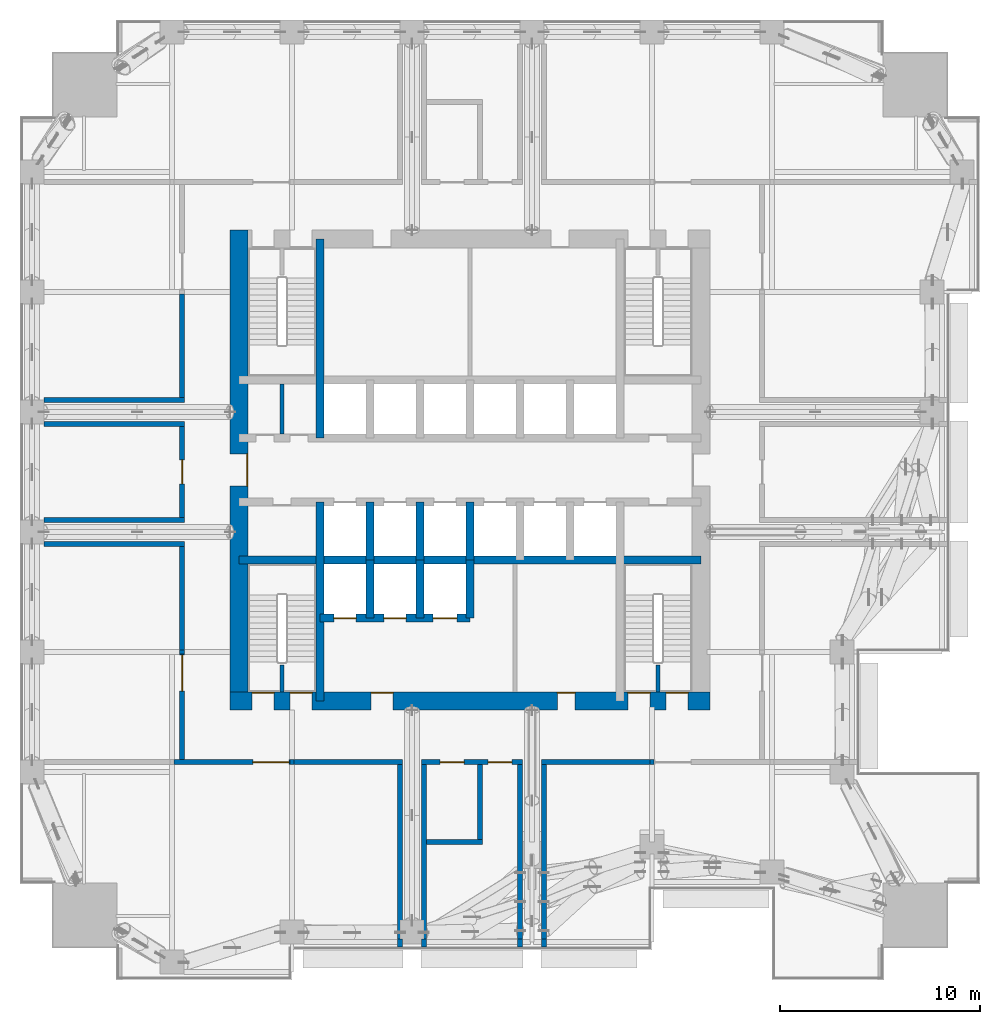
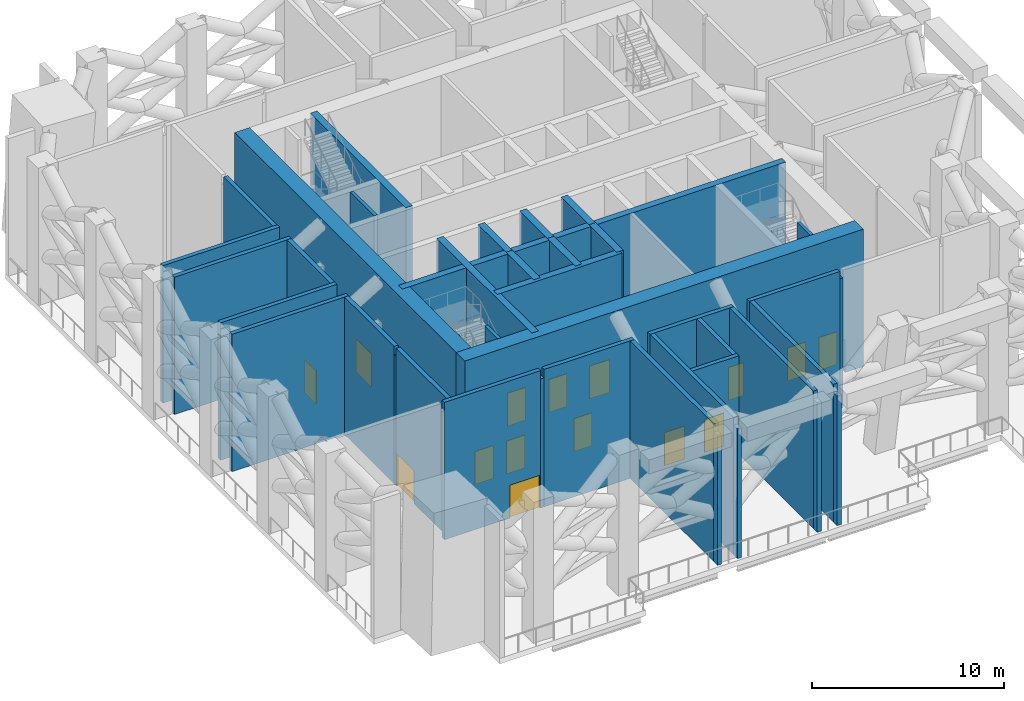
# One storey, part 7 of 18: 40 walls, 15 doors, 15 openings.
"""IFC4 building model written with IfcOpenShell, lengths in metres."""

from ifc_helpers import new_model, si_unit, direction, frame, frame_2d, origin, place, context, subcontext, project, spatial, rectangle, extrude, material, layer, layer_set, type_object, element, fill, save


model = new_model("IFC4")

# Units and contexts
model_context = context("Model", 3, precision=1e-05, world=origin(), true_north=direction((0.0, 1.0)))
body_context = subcontext(model_context, "Body", "Model", "MODEL_VIEW")
ifc_project = project(units=[si_unit("LENGTHUNIT", "METRE"), si_unit("AREAUNIT", "SQUARE_METRE"), si_unit("VOLUMEUNIT", "CUBIC_METRE"), si_unit("PLANEANGLEUNIT", "RADIAN"), si_unit("MASSUNIT", "GRAM", prefix="KILO")], contexts=[model_context])

# Site, building, storey
site_placement = place(None, origin())
site = spatial("IfcSite", under=ifc_project, at=site_placement, CompositionType="ELEMENT")
building_placement = place(site_placement, origin())
building = spatial("IfcBuilding", under=site, at=building_placement, Name="Amberfall Residences", CompositionType="ELEMENT")
storey_placement = place(building_placement, frame((0.0, 0.0, 69.699951171875)))
storey = spatial("IfcBuildingStorey", under=building, at=storey_placement, Name="L19", CompositionType="ELEMENT", Elevation=69.699951171875)

# Wall
ifc_material_1 = material(Name="Reinforced concrete C40", Category="concrete")
ifc_layer_1 = layer(ifc_material_1, 0.25)
ifc_layer_set_1 = layer_set([ifc_layer_1], Name="Compartment wall 250")
wall_type_1 = type_object("IfcWallType", Name="Compartment wall 250", PredefinedType="SOLIDWALL", material=ifc_layer_set_1)
wall_1_placement = place(storey_placement, frame((72.324951171875, 26.89990234375, 0.0), z_axis=(0.0, 0.0, 1.0), x_axis=(1.0, 0.0, 0.0)))
element("IfcWall", 1, at=wall_1_placement, inside=storey, type_object=wall_type_1, Name="Compartment wall 250 L19 001", PredefinedType="SOLIDWALL", context=body_context, shape_type="SweptSolid", body=[
    extrude(rectangle(XDim=2.800048828125, YDim=0.25, at=frame_2d((1.39990234375, 0.0))), origin(), (0.0, 0.0, 1.0), 8.75),
])

# Wall, opening, door
wall_2_placement = place(storey_placement, frame((59.705322265625, 30.89990234375, 0.0), z_axis=(0.0, 0.0, 1.0), x_axis=(1.0, 0.0, 0.0)))
wall_2 = element("IfcWall", 2, at=wall_2_placement, inside=storey, type_object=wall_type_1, Name="Compartment wall 250 L19 004", PredefinedType="SOLIDWALL", context=body_context, shape_type="SweptSolid", body=[
    extrude(rectangle(XDim=5.7900390625, YDim=0.25, at=frame_2d((2.89501953125, 0.0))), origin(), (0.0, 0.0, 1.0), 8.75),
])
opening_1_placement = place(wall_2_placement, frame((3.944580078125, 0.0, 0.0)))
opening_1 = element("IfcOpeningElement", 3, at=opening_1_placement, cuts=wall_2, Name="Opening D13", PredefinedType="OPENING", context=body_context, shape_type="SweptSolid", body=[
    extrude(rectangle(XDim=1.800048828125, YDim=2.10009765625, at=frame_2d((0.89990234375, 1.050048828125))), frame((0.0, 0.135009765625, 0.0), z_axis=(0.0, -1.0, 0.0), x_axis=(1.0, 0.0, 0.0)), (0.0, 0.0, 1.0), 0.27001953125),
])
ifc_material_2 = material(Name="Steel fire door leaf", Category="steel")
door_type_1 = type_object("IfcDoorType", Name="Double fire door 1800x2100 FD60", OperationType="DOUBLE_DOOR_SINGLE_SWING", PredefinedType="DOOR", material=ifc_material_2)
door_1_placement = place(opening_1_placement, origin())
door_1 = element("IfcDoor", 4, at=door_1_placement, inside=storey, type_object=door_type_1, Name="Door Refuge area 1", OperationType="DOUBLE_DOOR_SINGLE_SWING", OverallHeight=2.10009765625, OverallWidth=1.800048828125, PredefinedType="DOOR", context=body_context, shape_type="SweptSolid", body=[
    extrude(rectangle(XDim=1.800048828125, YDim=2.10009765625, at=frame_2d((0.89990234375, 1.050048828125))), frame((0.0, 0.02490234375, 0.0), z_axis=(0.0, -1.0, 0.0), x_axis=(1.0, 0.0, 0.0)), (0.0, 0.0, 1.0), 0.050048828125),
])
fill(opening_1, door_1)

# Walls
wall_3_placement = place(storey_placement, frame((65.495361328125, 30.89990234375, 0.0), z_axis=(0.0, 0.0, 1.0), x_axis=(1.0, 0.0, 0.0)))
element("IfcWall", 5, at=wall_3_placement, inside=storey, type_object=wall_type_1, Name="Compartment wall 250 L19 005", PredefinedType="SOLIDWALL", context=body_context, shape_type="SweptSolid", body=[
    extrude(rectangle(XDim=0.209228515625, YDim=0.25, at=frame_2d((0.1044921875, 0.0))), origin(), (0.0, 0.0, 1.0), 8.217041015625),
])
wall_4_placement = place(storey_placement, frame((65.70458984375, 30.89990234375, 0.0), z_axis=(0.0, 0.0, 1.0), x_axis=(1.0, 0.0, 0.0)))
element("IfcWall", 6, at=wall_4_placement, inside=storey, type_object=wall_type_1, Name="Compartment wall 250 L19 006", PredefinedType="SOLIDWALL", context=body_context, shape_type="SweptSolid", body=[
    extrude(rectangle(XDim=5.42041015625, YDim=0.25, at=frame_2d((2.710205078125, 0.0))), origin(), (0.0, 0.0, 1.0), 8.75),
])

# Wall, openings, doors
wall_5_placement = place(storey_placement, frame((72.074951171875, 30.89990234375, 0.0), z_axis=(0.0, 0.0, 1.0), x_axis=(1.0, 0.0, 0.0)))
wall_5 = element("IfcWall", 7, at=wall_5_placement, inside=storey, type_object=wall_type_1, Name="Compartment wall 250 L19 007", PredefinedType="SOLIDWALL", context=body_context, shape_type="SweptSolid", body=[
    extrude(rectangle(XDim=5.050048828125, YDim=0.25, at=frame_2d((2.52490234375, 0.0))), origin(), (0.0, 0.0, 1.0), 8.75),
])
opening_2_placement = place(wall_5_placement, frame((0.925048828125, 0.0, 0.0)))
opening_2 = element("IfcOpeningElement", 8, at=opening_2_placement, cuts=wall_5, Name="Opening D7", PredefinedType="OPENING", context=body_context, shape_type="SweptSolid", body=[
    extrude(rectangle(XDim=1.199951171875, YDim=2.10009765625, at=frame_2d((0.60009765625, 1.050048828125))), frame((0.0, 0.135009765625, 0.0), z_axis=(0.0, -1.0, 0.0), x_axis=(1.0, 0.0, 0.0)), (0.0, 0.0, 1.0), 0.27001953125),
])
opening_3_placement = place(wall_5_placement, frame((3.324951171875, 0.0, 0.0)))
opening_3 = element("IfcOpeningElement", 9, at=opening_3_placement, cuts=wall_5, Name="Opening D6", PredefinedType="OPENING", context=body_context, shape_type="SweptSolid", body=[
    extrude(rectangle(XDim=1.199951171875, YDim=2.10009765625, at=frame_2d((0.60009765625, 1.050048828125))), frame((0.0, 0.135009765625, 0.0), z_axis=(0.0, -1.0, 0.0), x_axis=(1.0, 0.0, 0.0)), (0.0, 0.0, 1.0), 0.27001953125),
])
door_type_2 = type_object("IfcDoorType", Name="Exit door 1200x2100", OperationType="SINGLE_SWING_LEFT", PredefinedType="DOOR", material=ifc_material_2)
door_2_placement = place(opening_3_placement, origin())
door_2 = element("IfcDoor", 10, at=door_2_placement, inside=storey, type_object=door_type_2, Name="Door Refuge area 2", OperationType="SINGLE_SWING_LEFT", OverallHeight=2.10009765625, OverallWidth=1.199951171875, PredefinedType="DOOR", context=body_context, shape_type="SweptSolid", body=[
    extrude(rectangle(XDim=1.199951171875, YDim=2.10009765625, at=frame_2d((0.60009765625, 1.050048828125))), frame((0.0, 0.02490234375, 0.0), z_axis=(0.0, -1.0, 0.0), x_axis=(1.0, 0.0, 0.0)), (0.0, 0.0, 1.0), 0.050048828125),
])
fill(opening_3, door_2)
door_type_3 = type_object("IfcDoorType", Name="Plant room door 1200x2100", OperationType="SINGLE_SWING_LEFT", PredefinedType="DOOR", material=ifc_material_2)
door_3_placement = place(opening_2_placement, origin())
door_3 = element("IfcDoor", 11, at=door_3_placement, inside=storey, type_object=door_type_3, Name="Door Fire services water tank room S", OperationType="SINGLE_SWING_LEFT", OverallHeight=2.10009765625, OverallWidth=1.199951171875, PredefinedType="DOOR", context=body_context, shape_type="SweptSolid", body=[
    extrude(rectangle(XDim=1.199951171875, YDim=2.10009765625, at=frame_2d((0.60009765625, 1.050048828125))), frame((0.0, 0.02490234375, 0.0), z_axis=(0.0, -1.0, 0.0), x_axis=(1.0, 0.0, 0.0)), (0.0, 0.0, 1.0), 0.050048828125),
])
fill(opening_2, door_3)

# Walls
wall_6_placement = place(storey_placement, frame((78.074951171875, 30.89990234375, 0.0), z_axis=(0.0, 0.0, 1.0), x_axis=(1.0, 0.0, 0.0)))
element("IfcWall", 12, at=wall_6_placement, inside=storey, type_object=wall_type_1, Name="Compartment wall 250 L19 008", PredefinedType="SOLIDWALL", context=body_context, shape_type="SweptSolid", body=[
    extrude(rectangle(XDim=5.429443359375, YDim=0.25, at=frame_2d((2.71484375, 0.0))), origin(), (0.0, 0.0, 1.0), 8.75),
])
wall_7_placement = place(storey_placement, frame((83.50439453125, 30.89990234375, 0.0), z_axis=(0.0, 0.0, 1.0), x_axis=(1.0, 0.0, 0.0)))
element("IfcWall", 13, at=wall_7_placement, inside=storey, type_object=wall_type_1, Name="Compartment wall 250 L19 009", PredefinedType="SOLIDWALL", context=body_context, shape_type="SweptSolid", body=[
    extrude(rectangle(XDim=0.19140625, YDim=0.25, at=frame_2d((0.095703125, 0.0))), origin(), (0.0, 0.0, 1.0), 8.2900390625),
])
for number, where, z_axis, x_axis, name in (
    (14, (53.199951171875, 41.800048828125, 0.0), (0.0, 0.0, 1.0), (1.0, 0.0, 0.0), "Compartment wall 250 L19 014"),
    (15, (53.199951171875, 43.0, 0.0), (0.0, 0.0, 1.0), (1.0, 0.0, 0.0), "Compartment wall 250 L19 017"),
    (16, (53.199951171875, 47.800048828125, 0.0), (0.0, 0.0, 1.0), (1.0, 0.0, 0.0), "Compartment wall 250 L19 020"),
    (17, (53.199951171875, 49.0, 0.0), (0.0, 0.0, 1.0), (1.0, 0.0, 0.0), "Compartment wall 250 L19 023"),
):
    element("IfcWall", number, at=place(storey_placement, frame(where, z_axis=z_axis, x_axis=x_axis)), inside=storey, type_object=wall_type_1, Name=name, PredefinedType="SOLIDWALL", context=body_context, shape_type="SweptSolid", body=[
        extrude(rectangle(XDim=7.025146484375, YDim=0.25, at=frame_2d((3.5126953125, 0.0))), origin(), (0.0, 0.0, 1.0), 8.75),
    ])

# Wall, opening, door
wall_8_placement = place(storey_placement, frame((60.10009765625, 31.02490234375, 0.0), z_axis=(0.0, 0.0, 1.0), x_axis=(0.0, 1.0, 0.0)))
wall_8 = element("IfcWall", 18, at=wall_8_placement, inside=storey, type_object=wall_type_1, Name="Compartment wall 250 L19 039", PredefinedType="SOLIDWALL", context=body_context, shape_type="SweptSolid", body=[
    extrude(rectangle(XDim=5.2705078125, YDim=0.25, at=frame_2d((2.63525390625, 0.0))), origin(), (0.0, 0.0, 1.0), 8.75),
])
opening_4_placement = place(wall_8_placement, frame((3.425048828125, 0.0, 0.0)))
opening_4 = element("IfcOpeningElement", 19, at=opening_4_placement, cuts=wall_8, Name="Opening D13", PredefinedType="OPENING", context=body_context, shape_type="SweptSolid", body=[
    extrude(rectangle(XDim=1.800048828125, YDim=2.10009765625, at=frame_2d((0.89990234375, 1.050048828125))), frame((0.0, 0.135009765625, 0.0), z_axis=(0.0, -1.0, 0.0), x_axis=(1.0, 0.0, 0.0)), (0.0, 0.0, 1.0), 0.27001953125),
])
door_4_placement = place(opening_4_placement, origin())
door_4 = element("IfcDoor", 20, at=door_4_placement, inside=storey, type_object=door_type_1, Name="Door Refuge area 7", OperationType="DOUBLE_DOOR_SINGLE_SWING", OverallHeight=2.10009765625, OverallWidth=1.800048828125, PredefinedType="DOOR", context=body_context, shape_type="SweptSolid", body=[
    extrude(rectangle(XDim=1.800048828125, YDim=2.10009765625, at=frame_2d((0.89990234375, 1.050048828125))), frame((0.0, 0.02490234375, 0.0), z_axis=(0.0, -1.0, 0.0), x_axis=(1.0, 0.0, 0.0)), (0.0, 0.0, 1.0), 0.050048828125),
])
fill(opening_4, door_4)

# Walls
wall_9_placement = place(storey_placement, frame((60.10009765625, 36.29541015625, 0.0), z_axis=(0.0, 0.0, 1.0), x_axis=(0.0, 1.0, 0.0)))
element("IfcWall", 21, at=wall_9_placement, inside=storey, type_object=wall_type_1, Name="Compartment wall 250 L19 040", PredefinedType="SOLIDWALL", context=body_context, shape_type="SweptSolid", body=[
    extrude(rectangle(XDim=0.209228515625, YDim=0.25, at=frame_2d((0.1044921875, 0.0))), origin(), (0.0, 0.0, 1.0), 8.217041015625),
])
wall_10_placement = place(storey_placement, frame((60.10009765625, 36.504638671875, 0.0), z_axis=(0.0, 0.0, 1.0), x_axis=(0.0, 1.0, 0.0)))
element("IfcWall", 22, at=wall_10_placement, inside=storey, type_object=wall_type_1, Name="Compartment wall 250 L19 041", PredefinedType="SOLIDWALL", context=body_context, shape_type="SweptSolid", body=[
    extrude(rectangle(XDim=5.17041015625, YDim=0.25, at=frame_2d((2.585205078125, 0.0))), origin(), (0.0, 0.0, 1.0), 8.75),
])

# Wall, opening, door
wall_11_placement = place(storey_placement, frame((60.10009765625, 43.125, 0.0), z_axis=(0.0, 0.0, 1.0), x_axis=(0.0, 1.0, 0.0)))
wall_11 = element("IfcWall", 23, at=wall_11_placement, inside=storey, type_object=wall_type_1, Name="Compartment wall 250 L19 042", PredefinedType="SOLIDWALL", context=body_context, shape_type="SweptSolid", body=[
    extrude(rectangle(XDim=4.550048828125, YDim=0.25, at=frame_2d((2.27490234375, 0.0))), origin(), (0.0, 0.0, 1.0), 8.75),
])
opening_5_placement = place(wall_11_placement, frame((1.675048828125, 0.0, 0.0)))
opening_5 = element("IfcOpeningElement", 24, at=opening_5_placement, cuts=wall_11, Name="Opening D6", PredefinedType="OPENING", context=body_context, shape_type="SweptSolid", body=[
    extrude(rectangle(XDim=1.199951171875, YDim=2.10009765625, at=frame_2d((0.60009765625, 1.050048828125))), frame((0.0, 0.135009765625, 0.0), z_axis=(0.0, -1.0, 0.0), x_axis=(1.0, 0.0, 0.0)), (0.0, 0.0, 1.0), 0.27001953125),
])
door_5_placement = place(opening_5_placement, origin())
door_5 = element("IfcDoor", 25, at=door_5_placement, inside=storey, type_object=door_type_2, Name="Door Refuge area 8", OperationType="SINGLE_SWING_LEFT", OverallHeight=2.10009765625, OverallWidth=1.199951171875, PredefinedType="DOOR", context=body_context, shape_type="SweptSolid", body=[
    extrude(rectangle(XDim=1.199951171875, YDim=2.10009765625, at=frame_2d((0.60009765625, 1.050048828125))), frame((0.0, 0.02490234375, 0.0), z_axis=(0.0, -1.0, 0.0), x_axis=(1.0, 0.0, 0.0)), (0.0, 0.0, 1.0), 0.050048828125),
])
fill(opening_5, door_5)

# Walls
wall_12_placement = place(storey_placement, frame((60.10009765625, 49.125, 0.0), z_axis=(0.0, 0.0, 1.0), x_axis=(0.0, 1.0, 0.0)))
element("IfcWall", 26, at=wall_12_placement, inside=storey, type_object=wall_type_1, Name="Compartment wall 250 L19 043", PredefinedType="SOLIDWALL", context=body_context, shape_type="SweptSolid", body=[
    extrude(rectangle(XDim=5.17041015625, YDim=0.25, at=frame_2d((2.585205078125, 0.0))), origin(), (0.0, 0.0, 1.0), 8.75),
])
wall_13_placement = place(storey_placement, frame((71.0, 21.64990234375, 0.0), z_axis=(0.0, 0.0, 1.0), x_axis=(0.0, 1.0, 0.0)))
element("IfcWall", 27, at=wall_13_placement, inside=storey, type_object=wall_type_1, Name="Compartment wall 250 L19 046", PredefinedType="SOLIDWALL", context=body_context, shape_type="SweptSolid", body=[
    extrude(rectangle(XDim=0.400146484375, YDim=0.25, at=frame_2d((0.2001953125, 0.0))), origin(), (0.0, 0.0, 1.0), 8.25),
])
wall_14_placement = place(storey_placement, frame((71.0, 22.050048828125, 0.0), z_axis=(0.0, 0.0, 1.0), x_axis=(0.0, 1.0, 0.0)))
element("IfcWall", 28, at=wall_14_placement, inside=storey, type_object=wall_type_1, Name="Compartment wall 250 L19 047", PredefinedType="SOLIDWALL", context=body_context, shape_type="SweptSolid", body=[
    extrude(rectangle(XDim=8.724853515625, YDim=0.25, at=frame_2d((4.3623046875, 0.0))), origin(), (0.0, 0.0, 1.0), 8.75),
])
wall_15_placement = place(storey_placement, frame((72.199951171875, 21.64990234375, 0.0), z_axis=(0.0, 0.0, 1.0), x_axis=(0.0, 1.0, 0.0)))
element("IfcWall", 29, at=wall_15_placement, inside=storey, type_object=wall_type_1, Name="Compartment wall 250 L19 049", PredefinedType="SOLIDWALL", context=body_context, shape_type="SweptSolid", body=[
    extrude(rectangle(XDim=0.400146484375, YDim=0.25, at=frame_2d((0.2001953125, 0.0))), origin(), (0.0, 0.0, 1.0), 8.25),
])
wall_16_placement = place(storey_placement, frame((72.199951171875, 22.050048828125, 0.0), z_axis=(0.0, 0.0, 1.0), x_axis=(0.0, 1.0, 0.0)))
element("IfcWall", 30, at=wall_16_placement, inside=storey, type_object=wall_type_1, Name="Compartment wall 250 L19 050", PredefinedType="SOLIDWALL", context=body_context, shape_type="SweptSolid", body=[
    extrude(rectangle(XDim=8.724853515625, YDim=0.25, at=frame_2d((4.3623046875, 0.0))), origin(), (0.0, 0.0, 1.0), 8.75),
])
wall_17_placement = place(storey_placement, frame((75.0, 27.02490234375, 0.0), z_axis=(0.0, 0.0, 1.0), x_axis=(0.0, 1.0, 0.0)))
element("IfcWall", 31, at=wall_17_placement, inside=storey, type_object=wall_type_1, Name="Compartment wall 250 L19 052", PredefinedType="SOLIDWALL", context=body_context, shape_type="SweptSolid", body=[
    extrude(rectangle(XDim=3.75, YDim=0.25, at=frame_2d((1.875, 0.0))), origin(), (0.0, 0.0, 1.0), 8.75),
])
wall_18_placement = place(storey_placement, frame((77.0, 21.64990234375, 0.0), z_axis=(0.0, 0.0, 1.0), x_axis=(0.0, 1.0, 0.0)))
element("IfcWall", 32, at=wall_18_placement, inside=storey, type_object=wall_type_1, Name="Compartment wall 250 L19 054", PredefinedType="SOLIDWALL", context=body_context, shape_type="SweptSolid", body=[
    extrude(rectangle(XDim=0.400146484375, YDim=0.25, at=frame_2d((0.2001953125, 0.0))), origin(), (0.0, 0.0, 1.0), 8.25),
])
wall_19_placement = place(storey_placement, frame((77.0, 22.050048828125, 0.0), z_axis=(0.0, 0.0, 1.0), x_axis=(0.0, 1.0, 0.0)))
element("IfcWall", 33, at=wall_19_placement, inside=storey, type_object=wall_type_1, Name="Compartment wall 250 L19 055", PredefinedType="SOLIDWALL", context=body_context, shape_type="SweptSolid", body=[
    extrude(rectangle(XDim=8.724853515625, YDim=0.25, at=frame_2d((4.3623046875, 0.0))), origin(), (0.0, 0.0, 1.0), 8.75),
])
wall_20_placement = place(storey_placement, frame((78.199951171875, 21.64990234375, 0.0), z_axis=(0.0, 0.0, 1.0), x_axis=(0.0, 1.0, 0.0)))
element("IfcWall", 34, at=wall_20_placement, inside=storey, type_object=wall_type_1, Name="Compartment wall 250 L19 057", PredefinedType="SOLIDWALL", context=body_context, shape_type="SweptSolid", body=[
    extrude(rectangle(XDim=0.400146484375, YDim=0.25, at=frame_2d((0.2001953125, 0.0))), origin(), (0.0, 0.0, 1.0), 8.25),
])
wall_21_placement = place(storey_placement, frame((78.199951171875, 22.050048828125, 0.0), z_axis=(0.0, 0.0, 1.0), x_axis=(0.0, 1.0, 0.0)))
element("IfcWall", 35, at=wall_21_placement, inside=storey, type_object=wall_type_1, Name="Compartment wall 250 L19 058", PredefinedType="SOLIDWALL", context=body_context, shape_type="SweptSolid", body=[
    extrude(rectangle(XDim=8.724853515625, YDim=0.25, at=frame_2d((4.3623046875, 0.0))), origin(), (0.0, 0.0, 1.0), 8.75),
])
ifc_material_3 = material(Name="Concrete C80", Category="concrete")
ifc_layer_2 = layer(ifc_material_3, 0.39990234375)
ifc_layer_set_2 = layer_set([ifc_layer_2], Name="Core wall 400 C80")
wall_type_2 = type_object("IfcWallType", Name="Core wall 400 C80", PredefinedType="SHEAR", material=ifc_layer_set_2)
wall_22_placement = place(storey_placement, frame((62.949951171875, 41.0, 0.0), z_axis=(0.0, 0.0, 1.0), x_axis=(1.0, 0.0, 0.0)))
element("IfcWall", 36, at=wall_22_placement, inside=storey, type_object=wall_type_2, Name="Core wall RW2 L19 H75", PredefinedType="SHEAR", context=body_context, shape_type="SweptSolid", body=[
    extrude(rectangle(XDim=23.10009765625, YDim=0.39990234375, at=frame_2d((11.550048828125, 0.0))), origin(), (0.0, 0.0, 1.0), 8.75),
])
for number, where, z_axis, x_axis, name in (
    (37, (67.0, 33.949951171875, 0.0), (0.0, 0.0, 1.0), (0.0, 1.0, 0.0), "Core wall RW2 L19 V45S"),
    (38, (67.0, 47.10009765625, 0.0), (0.0, 0.0, 1.0), (0.0, 1.0, 0.0), "Core wall RW2 L19 V45N"),
):
    element("IfcWall", number, at=place(storey_placement, frame(where, z_axis=z_axis, x_axis=x_axis)), inside=storey, type_object=wall_type_2, Name=name, PredefinedType="SHEAR", context=body_context, shape_type="SweptSolid", body=[
        extrude(rectangle(XDim=9.949951171875, YDim=0.39990234375, at=frame_2d((4.97509765625, 0.0))), origin(), (0.0, 0.0, 1.0), 8.75),
    ])
for number, where, z_axis, x_axis, name in (
    (39, (69.5, 41.0, 0.0), (0.0, 0.0, 1.0), (0.0, 1.0, 0.0), "Core wall RW2 L19 LPD1"),
    (40, (72.0, 41.0, 0.0), (0.0, 0.0, 1.0), (0.0, 1.0, 0.0), "Core wall RW2 L19 LPD2"),
    (41, (74.5, 41.0, 0.0), (0.0, 0.0, 1.0), (0.0, 1.0, 0.0), "Core wall RW2 L19 LPD3"),
):
    element("IfcWall", number, at=place(storey_placement, frame(where, z_axis=z_axis, x_axis=x_axis)), inside=storey, type_object=wall_type_2, Name=name, PredefinedType="SHEAR", context=body_context, shape_type="SweptSolid", body=[
        extrude(rectangle(XDim=2.89990234375, YDim=0.39990234375, at=frame_2d((1.449951171875, 0.0))), origin(), (0.0, 0.0, 1.0), 8.75),
    ])

# Wall, openings, doors
wall_23_placement = place(storey_placement, frame((67.0, 38.10009765625, 0.0), z_axis=(0.0, 0.0, 1.0), x_axis=(1.0, 0.0, 0.0)))
wall_23 = element("IfcWall", 42, at=wall_23_placement, inside=storey, type_object=wall_type_2, Name="Core wall RW2 L19 FFF", PredefinedType="SHEAR", context=body_context, shape_type="SweptSolid", body=[
    extrude(rectangle(XDim=7.5, YDim=0.39990234375, at=frame_2d((3.75, 0.0))), origin(), (0.0, 0.0, 1.0), 8.75),
])
opening_6_placement = place(wall_23_placement, frame((0.699951171875, 0.0, 0.0)))
opening_6 = element("IfcOpeningElement", 43, at=opening_6_placement, cuts=wall_23, Name="Opening LD2", PredefinedType="OPENING", context=body_context, shape_type="SweptSolid", body=[
    extrude(rectangle(XDim=1.10009765625, YDim=2.10009765625, at=frame_2d((0.550048828125, 1.050048828125))), frame((0.0, 0.2099609375, 0.0), z_axis=(0.0, -1.0, 0.0), x_axis=(1.0, 0.0, 0.0)), (0.0, 0.0, 1.0), 0.419921875),
])
opening_7_placement = place(wall_23_placement, frame((3.199951171875, 0.0, 0.0)))
opening_7 = element("IfcOpeningElement", 44, at=opening_7_placement, cuts=wall_23, Name="Opening LD2", PredefinedType="OPENING", context=body_context, shape_type="SweptSolid", body=[
    extrude(rectangle(XDim=1.10009765625, YDim=2.10009765625, at=frame_2d((0.550048828125, 1.050048828125))), frame((0.0, 0.2099609375, 0.0), z_axis=(0.0, -1.0, 0.0), x_axis=(1.0, 0.0, 0.0)), (0.0, 0.0, 1.0), 0.419921875),
])
opening_8_placement = place(wall_23_placement, frame((5.64990234375, 0.0, 0.0)))
opening_8 = element("IfcOpeningElement", 45, at=opening_8_placement, cuts=wall_23, Name="Opening LD3", PredefinedType="OPENING", context=body_context, shape_type="SweptSolid", body=[
    extrude(rectangle(XDim=1.199951171875, YDim=2.10009765625, at=frame_2d((0.60009765625, 1.050048828125))), frame((0.0, 0.2099609375, 0.0), z_axis=(0.0, -1.0, 0.0), x_axis=(1.0, 0.0, 0.0)), (0.0, 0.0, 1.0), 0.419921875),
])
ifc_material_4 = material(Name="Steel fire door set", Category="steel")
door_type_4 = type_object("IfcDoorType", Name="Firefighting lift landing door 1100 x 2100", OperationType="DOUBLE_DOOR_SLIDING", PredefinedType="DOOR", material=ifc_material_4)
door_6_placement = place(opening_6_placement, origin())
door_6 = element("IfcDoor", 46, at=door_6_placement, inside=storey, type_object=door_type_4, Name="Landing door FF1 L19", OperationType="DOUBLE_DOOR_SLIDING", OverallHeight=2.10009765625, OverallWidth=1.10009765625, PredefinedType="DOOR", context=body_context, shape_type="SweptSolid", body=[
    extrude(rectangle(XDim=1.10009765625, YDim=2.10009765625, at=frame_2d((0.550048828125, 1.050048828125))), frame((0.0, 0.02490234375, 0.0), z_axis=(0.0, -1.0, 0.0), x_axis=(1.0, 0.0, 0.0)), (0.0, 0.0, 1.0), 0.050048828125),
])
fill(opening_6, door_6)
door_7_placement = place(opening_7_placement, origin())
door_7 = element("IfcDoor", 47, at=door_7_placement, inside=storey, type_object=door_type_4, Name="Landing door FF2 L19", OperationType="DOUBLE_DOOR_SLIDING", OverallHeight=2.10009765625, OverallWidth=1.10009765625, PredefinedType="DOOR", context=body_context, shape_type="SweptSolid", body=[
    extrude(rectangle(XDim=1.10009765625, YDim=2.10009765625, at=frame_2d((0.550048828125, 1.050048828125))), frame((0.0, 0.02490234375, 0.0), z_axis=(0.0, -1.0, 0.0), x_axis=(1.0, 0.0, 0.0)), (0.0, 0.0, 1.0), 0.050048828125),
])
fill(opening_7, door_7)
door_type_5 = type_object("IfcDoorType", Name="Service lift landing door 1200 x 2100", OperationType="DOUBLE_DOOR_SLIDING", PredefinedType="DOOR", material=ifc_material_4)
door_8_placement = place(opening_8_placement, origin())
door_8 = element("IfcDoor", 48, at=door_8_placement, inside=storey, type_object=door_type_5, Name="Landing door SL1 L19", OperationType="DOUBLE_DOOR_SLIDING", OverallHeight=2.10009765625, OverallWidth=1.199951171875, PredefinedType="DOOR", context=body_context, shape_type="SweptSolid", body=[
    extrude(rectangle(XDim=1.199951171875, YDim=2.10009765625, at=frame_2d((0.60009765625, 1.050048828125))), frame((0.0, 0.02490234375, 0.0), z_axis=(0.0, -1.0, 0.0), x_axis=(1.0, 0.0, 0.0)), (0.0, 0.0, 1.0), 0.050048828125),
])
fill(opening_8, door_8)

# Walls
for number, where, z_axis, x_axis, name in (
    (49, (69.5, 38.10009765625, 0.0), (0.0, 0.0, 1.0), (0.0, 1.0, 0.0), "Core wall RW2 L19 FFD1"),
    (50, (72.0, 38.10009765625, 0.0), (0.0, 0.0, 1.0), (0.0, 1.0, 0.0), "Core wall RW2 L19 FFD2"),
    (51, (74.5, 38.10009765625, 0.0), (0.0, 0.0, 1.0), (0.0, 1.0, 0.0), "Core wall RW2 L19 FFD3"),
):
    element("IfcWall", number, at=place(storey_placement, frame(where, z_axis=z_axis, x_axis=x_axis)), inside=storey, type_object=wall_type_2, Name=name, PredefinedType="SHEAR", context=body_context, shape_type="SweptSolid", body=[
        extrude(rectangle(XDim=2.89990234375, YDim=0.39990234375, at=frame_2d((1.449951171875, 0.0))), origin(), (0.0, 0.0, 1.0), 8.75),
    ])

# Wall, openings, doors
ifc_layer_3 = layer(ifc_material_3, 0.89990234375)
ifc_layer_set_3 = layer_set([ifc_layer_3], Name="Core wall 900 C80")
wall_type_3 = type_object("IfcWallType", Name="Core wall 900 C80", PredefinedType="SHEAR", material=ifc_layer_set_3)
wall_24_placement = place(storey_placement, frame((62.5, 33.949951171875, 0.0), z_axis=(0.0, 0.0, 1.0), x_axis=(1.0, 0.0, 0.0)))
wall_24 = element("IfcWall", 52, at=wall_24_placement, inside=storey, type_object=wall_type_3, Name="Core wall RW1 L19 OS", PredefinedType="SHEAR", context=body_context, shape_type="SweptSolid", body=[
    extrude(rectangle(XDim=24.0, YDim=0.89990234375, at=frame_2d((12.0, 0.0))), origin(), (0.0, 0.0, 1.0), 8.75),
])
opening_9_placement = place(wall_24_placement, frame((3.0, 0.0, 0.0)))
opening_9 = element("IfcOpeningElement", 53, at=opening_9_placement, cuts=wall_24, Name="Opening SD1", PredefinedType="OPENING", context=body_context, shape_type="SweptSolid", body=[
    extrude(rectangle(XDim=1.10009765625, YDim=2.10009765625, at=frame_2d((0.550048828125, 1.050048828125))), frame((0.0, 0.4599609375, 0.0), z_axis=(0.0, -1.0, 0.0), x_axis=(1.0, 0.0, 0.0)), (0.0, 0.0, 1.0), 0.919921875),
])
opening_10_placement = place(wall_24_placement, frame((1.10009765625, 0.0, 0.0)))
opening_10 = element("IfcOpeningElement", 54, at=opening_10_placement, cuts=wall_24, Name="Opening SD1", PredefinedType="OPENING", context=body_context, shape_type="SweptSolid", body=[
    extrude(rectangle(XDim=1.10009765625, YDim=2.10009765625, at=frame_2d((0.550048828125, 1.050048828125))), frame((0.0, 0.4599609375, 0.0), z_axis=(0.0, -1.0, 0.0), x_axis=(1.0, 0.0, 0.0)), (0.0, 0.0, 1.0), 0.919921875),
])
opening_11_placement = place(wall_24_placement, frame((21.800048828125, 0.0, 0.0)))
opening_11 = element("IfcOpeningElement", 55, at=opening_11_placement, cuts=wall_24, Name="Opening SD1", PredefinedType="OPENING", context=body_context, shape_type="SweptSolid", body=[
    extrude(rectangle(XDim=1.10009765625, YDim=2.10009765625, at=frame_2d((0.550048828125, 1.050048828125))), frame((0.0, 0.4599609375, 0.0), z_axis=(0.0, -1.0, 0.0), x_axis=(1.0, 0.0, 0.0)), (0.0, 0.0, 1.0), 0.919921875),
])
opening_12_placement = place(wall_24_placement, frame((19.89990234375, 0.0, 0.0)))
opening_12 = element("IfcOpeningElement", 56, at=opening_12_placement, cuts=wall_24, Name="Opening SD1", PredefinedType="OPENING", context=body_context, shape_type="SweptSolid", body=[
    extrude(rectangle(XDim=1.10009765625, YDim=2.10009765625, at=frame_2d((0.550048828125, 1.050048828125))), frame((0.0, 0.4599609375, 0.0), z_axis=(0.0, -1.0, 0.0), x_axis=(1.0, 0.0, 0.0)), (0.0, 0.0, 1.0), 0.919921875),
])
opening_13_placement = place(wall_24_placement, frame((7.050048828125, 0.0, 0.0)))
opening_13 = element("IfcOpeningElement", 57, at=opening_13_placement, cuts=wall_24, Name="Opening FL1", PredefinedType="OPENING", context=body_context, shape_type="SweptSolid", body=[
    extrude(rectangle(XDim=1.10009765625, YDim=2.10009765625, at=frame_2d((0.550048828125, 1.050048828125))), frame((0.0, 0.4599609375, 0.0), z_axis=(0.0, -1.0, 0.0), x_axis=(1.0, 0.0, 0.0)), (0.0, 0.0, 1.0), 0.919921875),
])
opening_14_placement = place(wall_24_placement, frame((16.362548828125, 0.0, 0.0)))
opening_14 = element("IfcOpeningElement", 58, at=opening_14_placement, cuts=wall_24, Name="Opening RD1", PredefinedType="OPENING", context=body_context, shape_type="SweptSolid", body=[
    extrude(rectangle(XDim=0.89990234375, YDim=2.10009765625, at=frame_2d((0.449951171875, 1.050048828125))), frame((0.0, 0.4599609375, 0.0), z_axis=(0.0, -1.0, 0.0), x_axis=(1.0, 0.0, 0.0)), (0.0, 0.0, 1.0), 0.919921875),
])
door_type_6 = type_object("IfcDoorType", Name="Firefighting lobby door 1100 x 2100", OperationType="SINGLE_SWING_LEFT", PredefinedType="DOOR", material=ifc_material_4)
door_9_placement = place(opening_13_placement, origin())
door_9 = element("IfcDoor", 59, at=door_9_placement, inside=storey, type_object=door_type_6, Name="FL1 L19", OperationType="SINGLE_SWING_LEFT", OverallHeight=2.10009765625, OverallWidth=1.10009765625, PredefinedType="DOOR", context=body_context, shape_type="SweptSolid", body=[
    extrude(rectangle(XDim=1.10009765625, YDim=2.10009765625, at=frame_2d((0.550048828125, 1.050048828125))), frame((0.0, 0.4375, 0.0), z_axis=(0.0, -1.0, 0.0), x_axis=(1.0, 0.0, 0.0)), (0.0, 0.0, 1.0), 0.050048828125),
])
fill(opening_13, door_9)
door_type_7 = type_object("IfcDoorType", Name="Service room door 900 x 2100", OperationType="SINGLE_SWING_LEFT", PredefinedType="DOOR", material=ifc_material_4)
door_10_placement = place(opening_14_placement, origin())
door_10 = element("IfcDoor", 60, at=door_10_placement, inside=storey, type_object=door_type_7, Name="RD1 L19", OperationType="SINGLE_SWING_LEFT", OverallHeight=2.10009765625, OverallWidth=0.89990234375, PredefinedType="DOOR", context=body_context, shape_type="SweptSolid", body=[
    extrude(rectangle(XDim=0.89990234375, YDim=2.10009765625, at=frame_2d((0.449951171875, 1.050048828125))), frame((0.0, 0.4375, 0.0), z_axis=(0.0, -1.0, 0.0), x_axis=(1.0, 0.0, 0.0)), (0.0, 0.0, 1.0), 0.050048828125),
])
fill(opening_14, door_10)
door_type_8 = type_object("IfcDoorType", Name="Stair door 1100 x 2100", OperationType="SINGLE_SWING_LEFT", PredefinedType="DOOR", material=ifc_material_4)
door_11_placement = place(opening_9_placement, origin())
door_11 = element("IfcDoor", 61, at=door_11_placement, inside=storey, type_object=door_type_8, Name="SD1 L19", OperationType="SINGLE_SWING_LEFT", OverallHeight=2.10009765625, OverallWidth=1.10009765625, PredefinedType="DOOR", context=body_context, shape_type="SweptSolid", body=[
    extrude(rectangle(XDim=1.10009765625, YDim=2.10009765625, at=frame_2d((0.550048828125, 1.050048828125))), frame((0.0, 0.4375, 0.0), z_axis=(0.0, -1.0, 0.0), x_axis=(1.0, 0.0, 0.0)), (0.0, 0.0, 1.0), 0.050048828125),
])
fill(opening_9, door_11)
door_12_placement = place(opening_10_placement, origin())
door_12 = element("IfcDoor", 62, at=door_12_placement, inside=storey, type_object=door_type_8, Name="SD1 L19", OperationType="SINGLE_SWING_LEFT", OverallHeight=2.10009765625, OverallWidth=1.10009765625, PredefinedType="DOOR", context=body_context, shape_type="SweptSolid", body=[
    extrude(rectangle(XDim=1.10009765625, YDim=2.10009765625, at=frame_2d((0.550048828125, 1.050048828125))), frame((0.0, 0.4375, 0.0), z_axis=(0.0, -1.0, 0.0), x_axis=(1.0, 0.0, 0.0)), (0.0, 0.0, 1.0), 0.050048828125),
])
fill(opening_10, door_12)
door_13_placement = place(opening_11_placement, origin())
door_13 = element("IfcDoor", 63, at=door_13_placement, inside=storey, type_object=door_type_8, Name="SD1 L19", OperationType="SINGLE_SWING_RIGHT", OverallHeight=2.10009765625, OverallWidth=1.10009765625, PredefinedType="DOOR", context=body_context, shape_type="SweptSolid", body=[
    extrude(rectangle(XDim=1.10009765625, YDim=2.10009765625, at=frame_2d((0.550048828125, 1.050048828125))), frame((0.0, 0.4375, 0.0), z_axis=(0.0, -1.0, 0.0), x_axis=(1.0, 0.0, 0.0)), (0.0, 0.0, 1.0), 0.050048828125),
])
fill(opening_11, door_13)
door_14_placement = place(opening_12_placement, origin())
door_14 = element("IfcDoor", 64, at=door_14_placement, inside=storey, type_object=door_type_8, Name="SD1 L19", OperationType="SINGLE_SWING_RIGHT", OverallHeight=2.10009765625, OverallWidth=1.10009765625, PredefinedType="DOOR", context=body_context, shape_type="SweptSolid", body=[
    extrude(rectangle(XDim=1.10009765625, YDim=2.10009765625, at=frame_2d((0.550048828125, 1.050048828125))), frame((0.0, 0.4375, 0.0), z_axis=(0.0, -1.0, 0.0), x_axis=(1.0, 0.0, 0.0)), (0.0, 0.0, 1.0), 0.050048828125),
])
fill(opening_12, door_14)

# Wall, opening, door
wall_25_placement = place(storey_placement, frame((62.949951171875, 33.5, 0.0), z_axis=(0.0, 0.0, 1.0), x_axis=(0.0, 1.0, 0.0)))
wall_25 = element("IfcWall", 65, at=wall_25_placement, inside=storey, type_object=wall_type_3, Name="Core wall RW1 L19 OW", PredefinedType="SHEAR", context=body_context, shape_type="SweptSolid", body=[
    extrude(rectangle(XDim=24.0, YDim=0.89990234375, at=frame_2d((12.0, 0.0))), origin(), (0.0, 0.0, 1.0), 8.75),
])
opening_15_placement = place(wall_25_placement, frame((11.199951171875, 0.0, 0.0)))
opening_15 = element("IfcOpeningElement", 66, at=opening_15_placement, cuts=wall_25, Name="Opening LB1", PredefinedType="OPENING", context=body_context, shape_type="SweptSolid", body=[
    extrude(rectangle(XDim=1.60009765625, YDim=2.10009765625, at=frame_2d((0.800048828125, 1.050048828125))), frame((0.0, 0.4599609375, 0.0), z_axis=(0.0, -1.0, 0.0), x_axis=(1.0, 0.0, 0.0)), (0.0, 0.0, 1.0), 0.919921875),
])
door_type_9 = type_object("IfcDoorType", Name="Lift lobby double door 1600 x 2100", OperationType="DOUBLE_DOOR_SINGLE_SWING", PredefinedType="DOOR", material=ifc_material_4)
door_15_placement = place(opening_15_placement, origin())
door_15 = element("IfcDoor", 67, at=door_15_placement, inside=storey, type_object=door_type_9, Name="LB1 L19", OperationType="DOUBLE_DOOR_SINGLE_SWING", OverallHeight=2.10009765625, OverallWidth=1.60009765625, PredefinedType="DOOR", context=body_context, shape_type="SweptSolid", body=[
    extrude(rectangle(XDim=1.60009765625, YDim=2.10009765625, at=frame_2d((0.800048828125, 1.050048828125))), frame((0.0, -0.3876953125, 0.0), z_axis=(0.0, -1.0, 0.0), x_axis=(1.0, 0.0, 0.0)), (0.0, 0.0, 1.0), 0.050048828125),
])
fill(opening_15, door_15)

# Walls
ifc_material_5 = material(Name="Concrete blockwork", Category="masonry")
ifc_layer_4 = layer(ifc_material_5, 0.199951171875)
ifc_layer_set_4 = layer_set([ifc_layer_4], Name="Riser wall 200")
wall_type_4 = type_object("IfcWallType", Name="Riser wall 200", PredefinedType="PLUMBINGWALL", material=ifc_layer_set_4)
wall_26_placement = place(storey_placement, frame((65.10009765625, 47.300048828125, 0.0), z_axis=(0.0, 0.0, 1.0), x_axis=(0.0, 1.0, 0.0)))
element("IfcWall", 68, at=wall_26_placement, inside=storey, type_object=wall_type_4, Name="L19 core wall ANW0", PredefinedType="PLUMBINGWALL", context=body_context, shape_type="SweptSolid", body=[
    extrude(rectangle(XDim=2.5, YDim=0.199951171875, at=frame_2d((1.25, 0.0))), origin(), (0.0, 0.0, 1.0), 8.75),
])
ifc_material_6 = material(Name="Concrete C40", Category="concrete")
ifc_layer_5 = layer(ifc_material_6, 0.199951171875)
ifc_layer_set_5 = layer_set([ifc_layer_5], Name="Stair separating wall 200")
wall_type_5 = type_object("IfcWallType", Name="Stair separating wall 200", PredefinedType="SHEAR", material=ifc_layer_set_5)
for number, where, z_axis, x_axis, name in (
    (69, (65.10009765625, 34.39990234375, 0.0), (0.0, 0.0, 1.0), (0.0, 1.0, 0.0), "L19 stair 1 separating wall"),
    (70, (83.89990234375, 34.39990234375, 0.0), (0.0, 0.0, 1.0), (0.0, 1.0, 0.0), "L19 stair 2 separating wall"),
):
    element("IfcWall", number, at=place(storey_placement, frame(where, z_axis=z_axis, x_axis=x_axis)), inside=storey, type_object=wall_type_5, Name=name, PredefinedType="SHEAR", context=body_context, shape_type="SweptSolid", body=[
        extrude(rectangle(XDim=1.35009765625, YDim=0.199951171875, at=frame_2d((0.675048828125, 0.0))), origin(), (0.0, 0.0, 1.0), 8.75),
    ])

save(model, "model.ifc")
